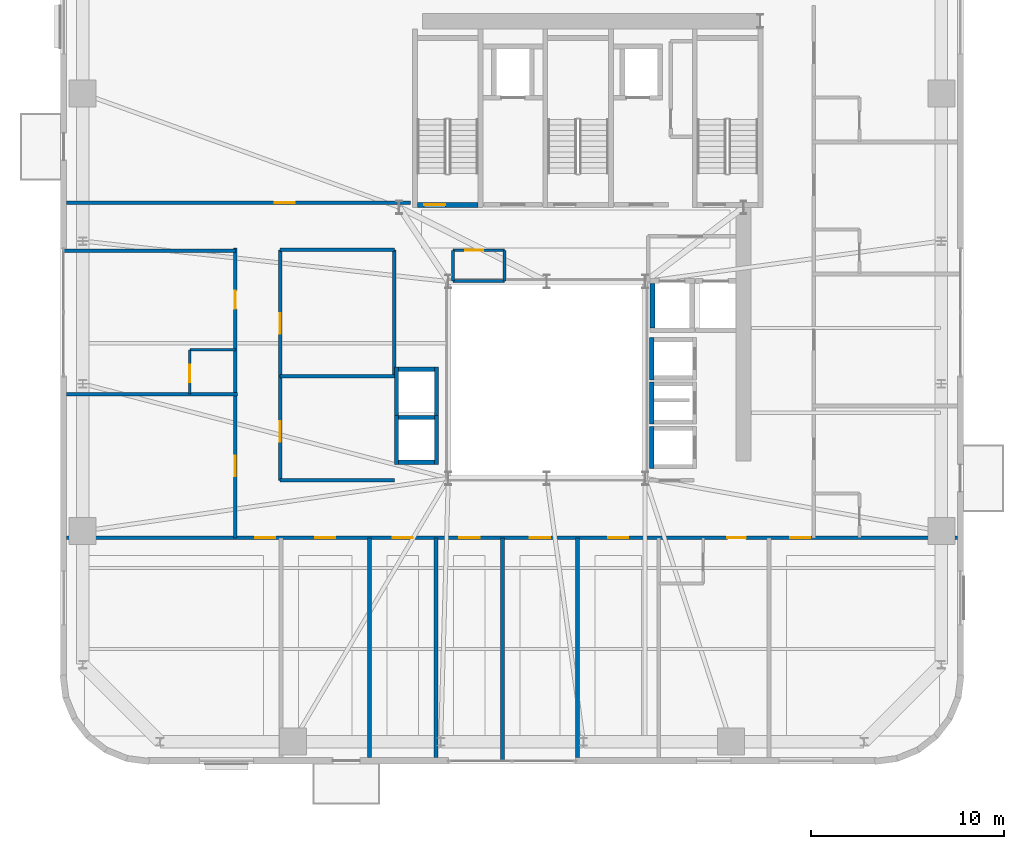
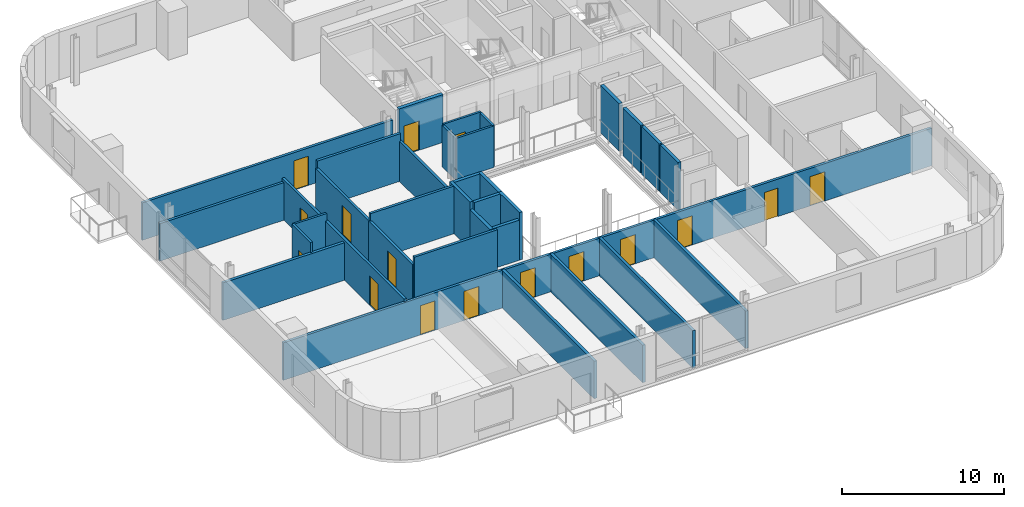
# One storey, part 8 of 16: 33 walls, 16 doors, 16 openings.
"""IFC4 building model written with IfcOpenShell, lengths in metres."""

from ifc_helpers import new_model, si_unit, direction, frame, frame_2d, origin, place, context, subcontext, project, spatial, rectangle, extrude, source, transform, mapped, material, layer, layer_set, type_object, element, fill, save


model = new_model("IFC4")

# Units and contexts
model_context = context("Model", 3, precision=1e-05, world=origin(), true_north=direction((0.0, 1.0)))
body_context = subcontext(model_context, "Body", "Model", "MODEL_VIEW")
ifc_project = project(units=[si_unit("LENGTHUNIT", "METRE"), si_unit("AREAUNIT", "SQUARE_METRE"), si_unit("VOLUMEUNIT", "CUBIC_METRE"), si_unit("PLANEANGLEUNIT", "RADIAN"), si_unit("MASSUNIT", "GRAM", prefix="KILO")], contexts=[model_context])

# Site, building, storey
site_placement = place(None, origin())
site = spatial("IfcSite", under=ifc_project, at=site_placement, CompositionType="ELEMENT")
building_placement = place(site_placement, origin())
building = spatial("IfcBuilding", under=site, at=building_placement, Name="Vardaveli Station Tower", CompositionType="ELEMENT")
storey_placement = place(building_placement, frame((0.0, 0.0, 181.0)))
storey = spatial("IfcBuildingStorey", under=building, at=storey_placement, Name="L46", CompositionType="ELEMENT", Elevation=181.0)

# Wall, opening, door
ifc_material_1 = material(Name="Concrete C40/50", Category="concrete")
ifc_layer_1 = layer(ifc_material_1, 0.25, Name="Concrete C40/50")
ifc_layer_set_1 = layer_set([ifc_layer_1], Name="Concrete C40/50")
wall_type_1 = type_object("IfcWallType", Name="WAL-SHAFT-250", PredefinedType="SOLIDWALL", material=ifc_layer_set_1)
shared_shape_1 = source(origin(), body_context, "Body", "SweptSolid", [
    extrude(rectangle(XDim=3.14990234375, YDim=0.25, at=frame_2d((1.574951171875, 0.0))), origin(), (0.0, 0.0, 1.0), 3.60009765625),
])
wall_1_placement = place(storey_placement, frame((29.60009765625, 30.77490234375, 0.0), z_axis=(0.0, 0.0, 1.0), x_axis=(1.0, 0.0, 0.0)))
wall_1 = element("IfcWall", 1, at=wall_1_placement, inside=storey, type_object=wall_type_1, Name="W-L46-ST-1S", PredefinedType="SOLIDWALL", context=body_context, shape_type="MappedRepresentation", body=[
    mapped(shared_shape_1, transform((0.0, 0.0, 0.0), scale=1.0)),
])
shared_shape_2 = source(origin(), body_context, "Body", "SweptSolid", [
    extrude(rectangle(XDim=1.10009765625, YDim=2.199951171875, at=frame_2d((0.550048828125, 1.10009765625))), frame((0.0, 0.135009765625, 0.0), z_axis=(0.0, -1.0, 0.0), x_axis=(1.0, 0.0, 0.0)), (0.0, 0.0, 1.0), 0.27001953125),
])
opening_1_placement = place(wall_1_placement, frame((0.35009765625, 0.0, 0.0)))
opening_1 = element("IfcOpeningElement", 2, at=opening_1_placement, cuts=wall_1, Name="Opening D-04", PredefinedType="OPENING", context=body_context, shape_type="MappedRepresentation", body=[
    mapped(shared_shape_2, transform((0.0, 0.0, 0.0), scale=1.0)),
])
ifc_material_2 = material(Name="Steel smokeproof fire doorset", Category="steel")
door_type_1 = type_object("IfcDoorType", Name="DR-ST-1100x2200", OperationType="NOTDEFINED", PredefinedType="DOOR", material=ifc_material_2)
shared_shape_3 = source(origin(), body_context, "Body", "SweptSolid", [
    extrude(rectangle(XDim=1.10009765625, YDim=2.199951171875, at=frame_2d((0.550048828125, 1.10009765625))), frame((0.0, 0.02490234375, 0.0), z_axis=(0.0, -1.0, 0.0), x_axis=(1.0, 0.0, 0.0)), (0.0, 0.0, 1.0), 0.050048828125),
])
door_1_placement = place(opening_1_placement, origin())
door_1 = element("IfcDoor", 3, at=door_1_placement, inside=storey, type_object=door_type_1, Name="DST-1-L46", OperationType="SINGLE_SWING_LEFT", OverallHeight=2.199951171875, OverallWidth=1.10009765625, PredefinedType="DOOR", context=body_context, shape_type="MappedRepresentation", body=[
    mapped(shared_shape_3, transform((0.0, 0.0, 0.0), scale=1.0)),
])
fill(opening_1, door_1)

# Walls
ifc_layer_2 = layer(ifc_material_1, 0.219970703125, Name="Concrete C40/50")
ifc_layer_set_2 = layer_set([ifc_layer_2], Name="Concrete C40/50")
wall_type_2 = type_object("IfcWallType", Name="WAL-FFLOBBY-220", PredefinedType="SOLIDWALL", material=ifc_layer_set_2)
shared_shape_4 = source(origin(), body_context, "Body", "SweptSolid", [
    extrude(rectangle(XDim=2.18994140625, YDim=0.219970703125, at=frame_2d((1.094970703125, 0.0))), origin(), (0.0, 0.0, 1.0), 3.580078125),
])
for number, where, z_axis, x_axis, name in (
    (4, (41.739990234375, 21.705078125, 0.0), (0.0, 0.0, 1.0), (0.0, 1.0, 0.0), "SHW-HL3-01-L46-W"),
    (5, (41.739990234375, 19.405029296875, 0.0), (0.0, 0.0, 1.0), (0.0, 1.0, 0.0), "SHW-HL3-02-L46-W"),
    (6, (41.739990234375, 17.10498046875, 0.0), (0.0, 0.0, 1.0), (0.0, 1.0, 0.0), "SHW-HL3-03-L46-W"),
):
    element("IfcWall", number, at=place(storey_placement, frame(where, z_axis=z_axis, x_axis=x_axis)), inside=storey, type_object=wall_type_2, Name=name, PredefinedType="SOLIDWALL", context=body_context, shape_type="MappedRepresentation", body=[
        mapped(shared_shape_4, transform((0.0, 0.0, 0.0), scale=1.0)),
    ])
shared_shape_5 = source(origin(), body_context, "Body", "SweptSolid", [
    extrude(rectangle(XDim=1.85009765625, YDim=0.219970703125, at=frame_2d((0.925048828125, 0.0))), origin(), (0.0, 0.0, 1.0), 3.02197265625),
])
wall_2_placement = place(storey_placement, frame((28.625, 17.43994140625, 0.0), z_axis=(0.0, 0.0, 1.0), x_axis=(1.0, 0.0, 0.0)))
element("IfcWall", 7, at=wall_2_placement, inside=storey, type_object=wall_type_2, Name="SHW-OBS-01-L46-S", PredefinedType="SOLIDWALL", context=body_context, shape_type="MappedRepresentation", body=[
    mapped(shared_shape_5, transform((0.0, 0.0, 0.0), scale=1.0)),
])
shared_shape_6 = source(origin(), body_context, "Body", "SweptSolid", [
    extrude(rectangle(XDim=1.85009765625, YDim=0.219970703125, at=frame_2d((0.925048828125, 0.0))), origin(), (0.0, 0.0, 1.0), 3.580078125),
])
for number, where, z_axis, x_axis, name in (
    (8, (28.625, 19.760009765625, 0.0), (0.0, 0.0, 1.0), (1.0, 0.0, 0.0), "SHW-OBS-01-L46-N"),
    (9, (28.625, 22.260009765625, 0.0), (0.0, 0.0, 1.0), (1.0, 0.0, 0.0), "SHW-OBS-02-L46-N"),
):
    element("IfcWall", number, at=place(storey_placement, frame(where, z_axis=z_axis, x_axis=x_axis)), inside=storey, type_object=wall_type_2, Name=name, PredefinedType="SOLIDWALL", context=body_context, shape_type="MappedRepresentation", body=[
        mapped(shared_shape_6, transform((0.0, 0.0, 0.0), scale=1.0)),
    ])
shared_shape_7 = source(origin(), body_context, "Body", "SweptSolid", [
    extrude(rectangle(XDim=2.5400390625, YDim=0.219970703125, at=frame_2d((1.27001953125, 0.0))), origin(), (0.0, 0.0, 1.0), 3.02197265625),
])
wall_3_placement = place(storey_placement, frame((28.514892578125, 17.330078125, 0.0), z_axis=(0.0, 0.0, 1.0), x_axis=(0.0, 1.0, 0.0)))
element("IfcWall", 10, at=wall_3_placement, inside=storey, type_object=wall_type_2, Name="SHW-OBS-01-L46-W", PredefinedType="SOLIDWALL", context=body_context, shape_type="MappedRepresentation", body=[
    mapped(shared_shape_7, transform((0.0, 0.0, 0.0), scale=1.0)),
])
shared_shape_8 = source(origin(), body_context, "Body", "SweptSolid", [
    extrude(rectangle(XDim=2.5400390625, YDim=0.219970703125, at=frame_2d((1.27001953125, 0.0))), origin(), (0.0, 0.0, 1.0), 3.580078125),
])
for number, where, z_axis, x_axis, name in (
    (11, (30.5849609375, 17.330078125, 0.0), (0.0, 0.0, 1.0), (0.0, 1.0, 0.0), "SHW-OBS-01-L46-E"),
    (12, (28.514892578125, 19.830078125, 0.0), (0.0, 0.0, 1.0), (0.0, 1.0, 0.0), "SHW-OBS-02-L46-W"),
    (13, (30.5849609375, 19.830078125, 0.0), (0.0, 0.0, 1.0), (0.0, 1.0, 0.0), "SHW-OBS-02-L46-E"),
):
    element("IfcWall", number, at=place(storey_placement, frame(where, z_axis=z_axis, x_axis=x_axis)), inside=storey, type_object=wall_type_2, Name=name, PredefinedType="SOLIDWALL", context=body_context, shape_type="MappedRepresentation", body=[
        mapped(shared_shape_8, transform((0.0, 0.0, 0.0), scale=1.0)),
    ])
shared_shape_9 = source(origin(), body_context, "Body", "SweptSolid", [
    extrude(rectangle(XDim=2.300048828125, YDim=0.25, at=frame_2d((1.14990234375, 0.0))), origin(), (0.0, 0.0, 1.0), 3.580078125),
])
wall_4_placement = place(storey_placement, frame((41.77490234375, 24.39990234375, 0.0), z_axis=(0.0, 0.0, 1.0), x_axis=(0.0, 1.0, 0.0)))
element("IfcWall", 14, at=wall_4_placement, inside=storey, type_object=wall_type_1, Name="SHW-SRV-01-L46-W", PredefinedType="SOLIDWALL", context=body_context, shape_type="MappedRepresentation", body=[
    mapped(shared_shape_9, transform((0.0, 0.0, 0.0), scale=1.0)),
])

# Wall, openings, doors
ifc_material_3 = material(Name="Fire-rated gypsum stud partition")
ifc_layer_3 = layer(ifc_material_3, 0.179931640625, Name="Fire-rated gypsum stud partition")
ifc_layer_set_3 = layer_set([ifc_layer_3], Name="Fire-rated gypsum stud partition")
wall_type_3 = type_object("IfcWallType", Name="WAL-CORR-180", PredefinedType="PARTITIONING", material=ifc_layer_set_3)
shared_shape_10 = source(origin(), body_context, "Body", "SweptSolid", [
    extrude(rectangle(XDim=46.15576171875, YDim=0.179931640625, at=frame_2d((23.077880859375, 0.0))), origin(), (0.0, 0.0, 1.0), 2.822021484375),
])
wall_5_placement = place(storey_placement, frame((11.422119140625, 13.510009765625, 0.0), z_axis=(0.0, 0.0, 1.0), x_axis=(1.0, 0.0, 0.0)))
wall_5 = element("IfcWall", 15, at=wall_5_placement, inside=storey, type_object=wall_type_3, Name="W-L46-CS", PredefinedType="PARTITIONING", context=body_context, shape_type="MappedRepresentation", body=[
    mapped(shared_shape_10, transform((0.0, 0.0, 0.0), scale=1.0)),
])
shared_shape_11 = source(origin(), body_context, "Body", "SweptSolid", [
    extrude(rectangle(XDim=1.050048828125, YDim=2.199951171875, at=frame_2d((0.52490234375, 1.10009765625))), frame((0.0, 0.10009765625, 0.0), z_axis=(0.0, -1.0, 0.0), x_axis=(1.0, 0.0, 0.0)), (0.0, 0.0, 1.0), 0.199951171875),
])
opening_2_placement = place(wall_5_placement, frame((9.758056640625, 0.0, 0.0)))
opening_2 = element("IfcOpeningElement", 16, at=opening_2_placement, cuts=wall_5, Name="Opening D-05", PredefinedType="OPENING", context=body_context, shape_type="MappedRepresentation", body=[
    mapped(shared_shape_11, transform((0.0, 0.0, 0.0), scale=1.0)),
])
opening_3_placement = place(wall_5_placement, frame((12.878173828125, 0.0, 0.0)))
opening_3 = element("IfcOpeningElement", 17, at=opening_3_placement, cuts=wall_5, Name="Opening D-05", PredefinedType="OPENING", context=body_context, shape_type="MappedRepresentation", body=[
    mapped(shared_shape_11, transform((0.0, 0.0, 0.0), scale=1.0)),
])
opening_4_placement = place(wall_5_placement, frame((16.893310546875, 0.0, 0.0)))
opening_4 = element("IfcOpeningElement", 18, at=opening_4_placement, cuts=wall_5, Name="Opening D-05", PredefinedType="OPENING", context=body_context, shape_type="MappedRepresentation", body=[
    mapped(shared_shape_11, transform((0.0, 0.0, 0.0), scale=1.0)),
])
opening_5_placement = place(wall_5_placement, frame((20.343505859375, 0.0, 0.0)))
opening_5 = element("IfcOpeningElement", 19, at=opening_5_placement, cuts=wall_5, Name="Opening D-05", PredefinedType="OPENING", context=body_context, shape_type="MappedRepresentation", body=[
    mapped(shared_shape_11, transform((0.0, 0.0, 0.0), scale=1.0)),
])
opening_6_placement = place(wall_5_placement, frame((24.00830078125, 0.0, 0.0)))
opening_6 = element("IfcOpeningElement", 20, at=opening_6_placement, cuts=wall_5, Name="Opening D-05", PredefinedType="OPENING", context=body_context, shape_type="MappedRepresentation", body=[
    mapped(shared_shape_11, transform((0.0, 0.0, 0.0), scale=1.0)),
])
opening_7_placement = place(wall_5_placement, frame((28.055419921875, 0.0, 0.0)))
opening_7 = element("IfcOpeningElement", 21, at=opening_7_placement, cuts=wall_5, Name="Opening D-05", PredefinedType="OPENING", context=body_context, shape_type="MappedRepresentation", body=[
    mapped(shared_shape_11, transform((0.0, 0.0, 0.0), scale=1.0)),
])
shared_shape_12 = source(origin(), body_context, "Body", "SweptSolid", [
    extrude(rectangle(XDim=0.949951171875, YDim=2.14990234375, at=frame_2d((0.47509765625, 1.074951171875))), frame((0.0, 0.10009765625, 0.0), z_axis=(0.0, -1.0, 0.0), x_axis=(1.0, 0.0, 0.0)), (0.0, 0.0, 1.0), 0.199951171875),
])
opening_8_placement = place(wall_5_placement, frame((34.24560546875, 0.0, 0.0)))
opening_8 = element("IfcOpeningElement", 22, at=opening_8_placement, cuts=wall_5, Name="Opening D-06", PredefinedType="OPENING", context=body_context, shape_type="MappedRepresentation", body=[
    mapped(shared_shape_12, transform((0.0, 0.0, 0.0), scale=1.0)),
])
opening_9_placement = place(wall_5_placement, frame((37.498046875, 0.0, 0.0)))
opening_9 = element("IfcOpeningElement", 23, at=opening_9_placement, cuts=wall_5, Name="Opening D-05", PredefinedType="OPENING", context=body_context, shape_type="MappedRepresentation", body=[
    mapped(shared_shape_11, transform((0.0, 0.0, 0.0), scale=1.0)),
])
ifc_material_4 = material(Name="Walnut veneer acoustic fire door")
door_type_2 = type_object("IfcDoorType", Name="DR-SUITE-1050x2200", OperationType="NOTDEFINED", PredefinedType="DOOR", material=ifc_material_4)
shared_shape_13 = source(origin(), body_context, "Body", "SweptSolid", [
    extrude(rectangle(XDim=1.050048828125, YDim=2.199951171875, at=frame_2d((0.52490234375, 1.10009765625))), frame((0.0, 0.02490234375, 0.0), z_axis=(0.0, -1.0, 0.0), x_axis=(1.0, 0.0, 0.0)), (0.0, 0.0, 1.0), 0.050048828125),
])
door_2_placement = place(opening_2_placement, origin())
door_2 = element("IfcDoor", 24, at=door_2_placement, inside=storey, type_object=door_type_2, Name="D-L46-SA1", OperationType="SINGLE_SWING_LEFT", OverallHeight=2.199951171875, OverallWidth=1.050048828125, PredefinedType="DOOR", context=body_context, shape_type="MappedRepresentation", body=[
    mapped(shared_shape_13, transform((0.0, 0.0, 0.0), scale=1.0)),
])
fill(opening_2, door_2)
door_3_placement = place(opening_3_placement, origin())
door_3 = element("IfcDoor", 25, at=door_3_placement, inside=storey, type_object=door_type_2, Name="D-L46-SA2", OperationType="SINGLE_SWING_RIGHT", OverallHeight=2.199951171875, OverallWidth=1.050048828125, PredefinedType="DOOR", context=body_context, shape_type="MappedRepresentation", body=[
    mapped(shared_shape_13, transform((0.0, 0.0, 0.0), scale=1.0)),
])
fill(opening_3, door_3)
door_4_placement = place(opening_4_placement, origin())
door_4 = element("IfcDoor", 26, at=door_4_placement, inside=storey, type_object=door_type_2, Name="D-L46-SA3", OperationType="SINGLE_SWING_LEFT", OverallHeight=2.199951171875, OverallWidth=1.050048828125, PredefinedType="DOOR", context=body_context, shape_type="MappedRepresentation", body=[
    mapped(shared_shape_13, transform((0.0, 0.0, 0.0), scale=1.0)),
])
fill(opening_4, door_4)
door_5_placement = place(opening_5_placement, origin())
door_5 = element("IfcDoor", 27, at=door_5_placement, inside=storey, type_object=door_type_2, Name="D-L46-SA4", OperationType="SINGLE_SWING_RIGHT", OverallHeight=2.199951171875, OverallWidth=1.050048828125, PredefinedType="DOOR", context=body_context, shape_type="MappedRepresentation", body=[
    mapped(shared_shape_13, transform((0.0, 0.0, 0.0), scale=1.0)),
])
fill(opening_5, door_5)
door_6_placement = place(opening_6_placement, origin())
door_6 = element("IfcDoor", 28, at=door_6_placement, inside=storey, type_object=door_type_2, Name="D-L46-SA5", OperationType="SINGLE_SWING_LEFT", OverallHeight=2.199951171875, OverallWidth=1.050048828125, PredefinedType="DOOR", context=body_context, shape_type="MappedRepresentation", body=[
    mapped(shared_shape_13, transform((0.0, 0.0, 0.0), scale=1.0)),
])
fill(opening_6, door_6)
door_7_placement = place(opening_7_placement, origin())
door_7 = element("IfcDoor", 29, at=door_7_placement, inside=storey, type_object=door_type_2, Name="D-L46-SA6", OperationType="SINGLE_SWING_RIGHT", OverallHeight=2.199951171875, OverallWidth=1.050048828125, PredefinedType="DOOR", context=body_context, shape_type="MappedRepresentation", body=[
    mapped(shared_shape_13, transform((0.0, 0.0, 0.0), scale=1.0)),
])
fill(opening_7, door_7)
door_8_placement = place(opening_9_placement, origin())
door_8 = element("IfcDoor", 30, at=door_8_placement, inside=storey, type_object=door_type_2, Name="D-L46-SA8", OperationType="SINGLE_SWING_RIGHT", OverallHeight=2.199951171875, OverallWidth=1.050048828125, PredefinedType="DOOR", context=body_context, shape_type="MappedRepresentation", body=[
    mapped(shared_shape_13, transform((0.0, 0.0, 0.0), scale=1.0)),
])
fill(opening_9, door_8)
ifc_material_5 = material(Name="Oak veneer acoustic fire door")
door_type_3 = type_object("IfcDoorType", Name="DR-GUEST-950x2150", OperationType="NOTDEFINED", PredefinedType="DOOR", material=ifc_material_5)
shared_shape_14 = source(origin(), body_context, "Body", "SweptSolid", [
    extrude(rectangle(XDim=0.949951171875, YDim=2.14990234375, at=frame_2d((0.47509765625, 1.074951171875))), frame((0.0, 0.02490234375, 0.0), z_axis=(0.0, -1.0, 0.0), x_axis=(1.0, 0.0, 0.0)), (0.0, 0.0, 1.0), 0.050048828125),
])
door_9_placement = place(opening_8_placement, origin())
door_9 = element("IfcDoor", 31, at=door_9_placement, inside=storey, type_object=door_type_3, Name="D-L46-GS7", OperationType="SINGLE_SWING_LEFT", OverallHeight=2.14990234375, OverallWidth=0.949951171875, PredefinedType="DOOR", context=body_context, shape_type="MappedRepresentation", body=[
    mapped(shared_shape_14, transform((0.0, 0.0, 0.0), scale=1.0)),
])
fill(opening_8, door_9)

# Wall, opening, door
shared_shape_15 = source(origin(), body_context, "Body", "SweptSolid", [
    extrude(rectangle(XDim=17.827880859375, YDim=0.179931640625, at=frame_2d((8.9140625, 0.0))), origin(), (0.0, 0.0, 1.0), 2.822021484375),
])
wall_6_placement = place(storey_placement, frame((11.422119140625, 30.8798828125, 0.0), z_axis=(0.0, 0.0, 1.0), x_axis=(1.0, 0.0, 0.0)))
wall_6 = element("IfcWall", 32, at=wall_6_placement, inside=storey, type_object=wall_type_3, Name="W-L46-CNWS", PredefinedType="PARTITIONING", context=body_context, shape_type="MappedRepresentation", body=[
    mapped(shared_shape_15, transform((0.0, 0.0, 0.0), scale=1.0)),
])
opening_10_placement = place(wall_6_placement, frame((10.778076171875, 0.0, 0.0)))
opening_10 = element("IfcOpeningElement", 33, at=opening_10_placement, cuts=wall_6, Name="Opening D-05", PredefinedType="OPENING", context=body_context, shape_type="MappedRepresentation", body=[
    mapped(shared_shape_11, transform((0.0, 0.0, 0.0), scale=1.0)),
])
door_10_placement = place(opening_10_placement, origin())
door_10 = element("IfcDoor", 34, at=door_10_placement, inside=storey, type_object=door_type_2, Name="D-L46-GNW1", OperationType="SINGLE_SWING_RIGHT", OverallHeight=2.199951171875, OverallWidth=1.050048828125, PredefinedType="DOOR", context=body_context, shape_type="MappedRepresentation", body=[
    mapped(shared_shape_13, transform((0.0, 0.0, 0.0), scale=1.0)),
])
fill(opening_10, door_10)

# Wall, openings, doors
shared_shape_16 = source(origin(), body_context, "Body", "SweptSolid", [
    extrude(rectangle(XDim=15.0400390625, YDim=0.179931640625, at=frame_2d((7.52001953125, 0.0))), origin(), (0.0, 0.0, 1.0), 3.02197265625),
])
wall_7_placement = place(storey_placement, frame((20.159912109375, 13.510009765625, 0.0), z_axis=(0.0, 0.0, 1.0), x_axis=(0.0, 1.0, 0.0)))
wall_7 = element("IfcWall", 35, at=wall_7_placement, inside=storey, type_object=wall_type_3, Name="W-L46-CW", PredefinedType="PARTITIONING", context=body_context, shape_type="MappedRepresentation", body=[
    mapped(shared_shape_16, transform((0.0, 0.0, 0.0), scale=1.0)),
])
opening_11_placement = place(wall_7_placement, frame((3.202392578125, 0.0, 0.0)))
opening_11 = element("IfcOpeningElement", 36, at=opening_11_placement, cuts=wall_7, Name="Opening D-05", PredefinedType="OPENING", context=body_context, shape_type="MappedRepresentation", body=[
    mapped(shared_shape_11, transform((0.0, 0.0, 0.0), scale=1.0)),
])
opening_12_placement = place(wall_7_placement, frame((11.87255859375, 0.0, 0.0)))
opening_12 = element("IfcOpeningElement", 37, at=opening_12_placement, cuts=wall_7, Name="Opening D-06", PredefinedType="OPENING", context=body_context, shape_type="MappedRepresentation", body=[
    mapped(shared_shape_12, transform((0.0, 0.0, 0.0), scale=1.0)),
])
door_11_placement = place(opening_11_placement, origin())
door_11 = element("IfcDoor", 38, at=door_11_placement, inside=storey, type_object=door_type_2, Name="D-L46-GW1", OperationType="SINGLE_SWING_LEFT", OverallHeight=2.199951171875, OverallWidth=1.050048828125, PredefinedType="DOOR", context=body_context, shape_type="MappedRepresentation", body=[
    mapped(shared_shape_13, transform((0.0, 0.0, 0.0), scale=1.0)),
])
fill(opening_11, door_11)
door_12_placement = place(opening_12_placement, origin())
door_12 = element("IfcDoor", 39, at=door_12_placement, inside=storey, type_object=door_type_3, Name="D-L46-GW2", OperationType="SINGLE_SWING_RIGHT", OverallHeight=2.14990234375, OverallWidth=0.949951171875, PredefinedType="DOOR", context=body_context, shape_type="MappedRepresentation", body=[
    mapped(shared_shape_14, transform((0.0, 0.0, 0.0), scale=1.0)),
])
fill(opening_12, door_12)

# Wall, opening, door
ifc_material_6 = material(Name="Moisture-resistant stud partition")
ifc_layer_4 = layer(ifc_material_6, 0.14990234375, Name="Moisture-resistant stud partition")
ifc_layer_set_4 = layer_set([ifc_layer_4], Name="Moisture-resistant stud partition")
wall_type_4 = type_object("IfcWallType", Name="WAL-WET-150", PredefinedType="PARTITIONING", material=ifc_layer_set_4)
shared_shape_17 = source(origin(), body_context, "Body", "SweptSolid", [
    extrude(rectangle(XDim=2.289794921875, YDim=0.14990234375, at=frame_2d((1.14501953125, 0.0))), origin(), (0.0, 0.0, 1.0), 3.580078125),
])
wall_8_placement = place(storey_placement, frame((17.800048828125, 20.97509765625, 0.0), z_axis=(0.0, 0.0, 1.0), x_axis=(0.0, 1.0, 0.0)))
wall_8 = element("IfcWall", 40, at=wall_8_placement, inside=storey, type_object=wall_type_4, Name="W-L46-BW2-W", PredefinedType="PARTITIONING", context=body_context, shape_type="MappedRepresentation", body=[
    mapped(shared_shape_17, transform((0.0, 0.0, 0.0), scale=1.0)),
])
shared_shape_18 = source(origin(), body_context, "Body", "SweptSolid", [
    extrude(rectangle(XDim=0.89990234375, YDim=2.10009765625, at=frame_2d((0.449951171875, 1.050048828125))), frame((0.0, 0.0849609375, 0.0), z_axis=(0.0, -1.0, 0.0), x_axis=(1.0, 0.0, 0.0)), (0.0, 0.0, 1.0), 0.169921875),
])
opening_13_placement = place(wall_8_placement, frame((0.60009765625, 0.0, 0.0)))
opening_13 = element("IfcOpeningElement", 41, at=opening_13_placement, cuts=wall_8, Name="Opening D-08", PredefinedType="OPENING", context=body_context, shape_type="MappedRepresentation", body=[
    mapped(shared_shape_18, transform((0.0, 0.0, 0.0), scale=1.0)),
])
ifc_material_7 = material(Name="Moisture-resistant oak door")
door_type_4 = type_object("IfcDoorType", Name="DR-BATH-900x2100", OperationType="NOTDEFINED", PredefinedType="DOOR", material=ifc_material_7)
shared_shape_19 = source(origin(), body_context, "Body", "SweptSolid", [
    extrude(rectangle(XDim=0.89990234375, YDim=2.10009765625, at=frame_2d((0.449951171875, 1.050048828125))), frame((0.0, 0.02490234375, 0.0), z_axis=(0.0, -1.0, 0.0), x_axis=(1.0, 0.0, 0.0)), (0.0, 0.0, 1.0), 0.050048828125),
])
door_13_placement = place(opening_13_placement, origin())
door_13 = element("IfcDoor", 42, at=door_13_placement, inside=storey, type_object=door_type_4, Name="D-L46-BW2", OperationType="SINGLE_SWING_RIGHT", OverallHeight=2.10009765625, OverallWidth=0.89990234375, PredefinedType="DOOR", context=body_context, shape_type="MappedRepresentation", body=[
    mapped(shared_shape_19, transform((0.0, 0.0, 0.0), scale=1.0)),
])
fill(opening_13, door_13)

# Walls
ifc_material_8 = material(Name="Acoustic twin-stud gypsum partition")
ifc_layer_5 = layer(ifc_material_8, 0.199951171875, Name="Acoustic twin-stud gypsum partition")
ifc_layer_set_5 = layer_set([ifc_layer_5], Name="Acoustic twin-stud gypsum partition")
wall_type_5 = type_object("IfcWallType", Name="WAL-PARTY-200", PredefinedType="PARTITIONING", material=ifc_layer_set_5)
shared_shape_20 = source(origin(), body_context, "Body", "SweptSolid", [
    extrude(rectangle(XDim=11.387939453125, YDim=0.199951171875, at=frame_2d((5.69384765625, 0.0))), origin(), (0.0, 0.0, 1.0), 2.822021484375),
])
for number, where, z_axis, x_axis, name in (
    (43, (27.110107421875, 2.1220703125, 0.0), (0.0, 0.0, 1.0), (0.0, 1.0, 0.0), "W-L46-PS2"),
    (44, (30.56005859375, 2.1220703125, 0.0), (0.0, 0.0, 1.0), (0.0, 1.0, 0.0), "W-L46-PS3"),
    (45, (37.889892578125, 2.1220703125, 0.0), (0.0, 0.0, 1.0), (0.0, 1.0, 0.0), "W-L46-PS5"),
):
    element("IfcWall", number, at=place(storey_placement, frame(where, z_axis=z_axis, x_axis=x_axis)), inside=storey, type_object=wall_type_5, Name=name, PredefinedType="PARTITIONING", context=body_context, shape_type="MappedRepresentation", body=[
        mapped(shared_shape_20, transform((0.0, 0.0, 0.0), scale=1.0)),
    ])
shared_shape_21 = source(origin(), body_context, "Body", "SweptSolid", [
    extrude(rectangle(XDim=11.580078125, YDim=0.199951171875, at=frame_2d((5.7900390625, 0.0))), origin(), (0.0, 0.0, 1.0), 2.822021484375),
])
wall_9_placement = place(storey_placement, frame((34.010009765625, 1.929931640625, 0.0), z_axis=(0.0, 0.0, 1.0), x_axis=(0.0, 1.0, 0.0)))
element("IfcWall", 46, at=wall_9_placement, inside=storey, type_object=wall_type_5, Name="W-L46-PS4", PredefinedType="PARTITIONING", context=body_context, shape_type="MappedRepresentation", body=[
    mapped(shared_shape_21, transform((0.0, 0.0, 0.0), scale=1.0)),
])
shared_shape_22 = source(origin(), body_context, "Body", "SweptSolid", [
    extrude(rectangle(XDim=8.837890625, YDim=0.199951171875, at=frame_2d((4.4189453125, 0.0))), origin(), (0.0, 0.0, 1.0), 2.822021484375),
])
wall_10_placement = place(storey_placement, frame((11.422119140625, 20.955078125, 0.0), z_axis=(0.0, 0.0, 1.0), x_axis=(1.0, 0.0, 0.0)))
element("IfcWall", 47, at=wall_10_placement, inside=storey, type_object=wall_type_5, Name="W-L46-PW1", PredefinedType="PARTITIONING", context=body_context, shape_type="MappedRepresentation", body=[
    mapped(shared_shape_22, transform((0.0, 0.0, 0.0), scale=1.0)),
])
shared_shape_23 = source(origin(), body_context, "Body", "SweptSolid", [
    extrude(rectangle(XDim=8.929931640625, YDim=0.179931640625, at=frame_2d((4.46484375, 0.0))), origin(), (0.0, 0.0, 1.0), 2.822021484375),
])
wall_11_placement = place(storey_placement, frame((11.22998046875, 28.39990234375, 0.0), z_axis=(0.0, 0.0, 1.0), x_axis=(1.0, 0.0, 0.0)))
element("IfcWall", 48, at=wall_11_placement, inside=storey, type_object=wall_type_3, Name="W-L46-CWN", PredefinedType="PARTITIONING", context=body_context, shape_type="MappedRepresentation", body=[
    mapped(shared_shape_23, transform((0.0, 0.0, 0.0), scale=1.0)),
])
shared_shape_24 = source(origin(), body_context, "Body", "SweptSolid", [
    extrude(rectangle(XDim=5.919921875, YDim=0.179931640625, at=frame_2d((2.9599609375, 0.0))), origin(), (0.0, 0.0, 1.0), 3.580078125),
])
for number, where, z_axis, x_axis, name in (
    (49, (22.47998046875, 16.5, 0.0), (0.0, 0.0, 1.0), (1.0, 0.0, 0.0), "W-L46-ATW1-S"),
    (50, (22.47998046875, 21.89990234375, 0.0), (0.0, 0.0, 1.0), (1.0, 0.0, 0.0), "W-L46-ATW1-N"),
    (51, (22.47998046875, 28.43994140625, 0.0), (0.0, 0.0, 1.0), (1.0, 0.0, 0.0), "W-L46-ATW2-N"),
):
    element("IfcWall", number, at=place(storey_placement, frame(where, z_axis=z_axis, x_axis=x_axis)), inside=storey, type_object=wall_type_3, Name=name, PredefinedType="PARTITIONING", context=body_context, shape_type="MappedRepresentation", body=[
        mapped(shared_shape_24, transform((0.0, 0.0, 0.0), scale=1.0)),
    ])
shared_shape_25 = source(origin(), body_context, "Body", "SweptSolid", [
    extrude(rectangle(XDim=2.35986328125, YDim=0.14990234375, at=frame_2d((1.179931640625, 0.0))), origin(), (0.0, 0.0, 1.0), 3.580078125),
])
wall_12_placement = place(storey_placement, frame((17.800048828125, 23.264892578125, 0.0), z_axis=(0.0, 0.0, 1.0), x_axis=(1.0, 0.0, 0.0)))
element("IfcWall", 52, at=wall_12_placement, inside=storey, type_object=wall_type_4, Name="W-L46-BW2-N", PredefinedType="PARTITIONING", context=body_context, shape_type="MappedRepresentation", body=[
    mapped(shared_shape_25, transform((0.0, 0.0, 0.0), scale=1.0)),
])

# Wall, opening, door
shared_shape_26 = source(origin(), body_context, "Body", "SweptSolid", [
    extrude(rectangle(XDim=6.5400390625, YDim=0.179931640625, at=frame_2d((3.27001953125, 0.0))), origin(), (0.0, 0.0, 1.0), 3.02197265625),
])
wall_13_placement = place(storey_placement, frame((22.47998046875, 21.89990234375, 0.0), z_axis=(0.0, 0.0, 1.0), x_axis=(0.0, 1.0, 0.0)))
wall_13 = element("IfcWall", 53, at=wall_13_placement, inside=storey, type_object=wall_type_3, Name="W-L46-ATW2-W", PredefinedType="PARTITIONING", context=body_context, shape_type="MappedRepresentation", body=[
    mapped(shared_shape_26, transform((0.0, 0.0, 0.0), scale=1.0)),
])
opening_14_placement = place(wall_13_placement, frame((2.199951171875, 0.0, 0.0)))
opening_14 = element("IfcOpeningElement", 54, at=opening_14_placement, cuts=wall_13, Name="Opening D-05", PredefinedType="OPENING", context=body_context, shape_type="MappedRepresentation", body=[
    mapped(shared_shape_11, transform((0.0, 0.0, 0.0), scale=1.0)),
])
door_14_placement = place(opening_14_placement, origin())
door_14 = element("IfcDoor", 55, at=door_14_placement, inside=storey, type_object=door_type_2, Name="D-L46-ATW2", OperationType="SINGLE_SWING_LEFT", OverallHeight=2.199951171875, OverallWidth=1.050048828125, PredefinedType="DOOR", context=body_context, shape_type="MappedRepresentation", body=[
    mapped(shared_shape_13, transform((0.0, 0.0, 0.0), scale=1.0)),
])
fill(opening_14, door_14)

# Wall
wall_14_placement = place(storey_placement, frame((28.39990234375, 21.89990234375, 0.0), z_axis=(0.0, 0.0, 1.0), x_axis=(0.0, 1.0, 0.0)))
element("IfcWall", 56, at=wall_14_placement, inside=storey, type_object=wall_type_3, Name="W-L46-ATW2-E", PredefinedType="PARTITIONING", context=body_context, shape_type="MappedRepresentation", body=[
    mapped(shared_shape_26, transform((0.0, 0.0, 0.0), scale=1.0)),
])

# Wall, opening, door
shared_shape_27 = source(origin(), body_context, "Body", "SweptSolid", [
    extrude(rectangle(XDim=5.39990234375, YDim=0.179931640625, at=frame_2d((2.699951171875, 0.0))), origin(), (0.0, 0.0, 1.0), 3.02197265625),
])
wall_15_placement = place(storey_placement, frame((22.47998046875, 16.5, 0.0), z_axis=(0.0, 0.0, 1.0), x_axis=(0.0, 1.0, 0.0)))
wall_15 = element("IfcWall", 57, at=wall_15_placement, inside=storey, type_object=wall_type_3, Name="W-L46-ATW1-W", PredefinedType="PARTITIONING", context=body_context, shape_type="MappedRepresentation", body=[
    mapped(shared_shape_27, transform((0.0, 0.0, 0.0), scale=1.0)),
])
opening_15_placement = place(wall_15_placement, frame((2.0, 0.0, 0.0)))
opening_15 = element("IfcOpeningElement", 58, at=opening_15_placement, cuts=wall_15, Name="Opening D-05", PredefinedType="OPENING", context=body_context, shape_type="MappedRepresentation", body=[
    mapped(shared_shape_11, transform((0.0, 0.0, 0.0), scale=1.0)),
])
door_15_placement = place(opening_15_placement, origin())
door_15 = element("IfcDoor", 59, at=door_15_placement, inside=storey, type_object=door_type_2, Name="D-L46-ATW1", OperationType="SINGLE_SWING_RIGHT", OverallHeight=2.199951171875, OverallWidth=1.050048828125, PredefinedType="DOOR", context=body_context, shape_type="MappedRepresentation", body=[
    mapped(shared_shape_13, transform((0.0, 0.0, 0.0), scale=1.0)),
])
fill(opening_15, door_15)

shared_shape_28 = source(origin(), body_context, "Body", "SweptSolid", [
    extrude(rectangle(XDim=2.670166015625, YDim=0.14990234375, at=frame_2d((1.3349609375, 0.0))), origin(), (0.0, 0.0, 1.0), 3.2119140625),
])
wall_16_placement = place(storey_placement, frame((31.449951171875, 28.419921875, 0.0), z_axis=(0.0, 0.0, 1.0), x_axis=(1.0, 0.0, 0.0)))
wall_16 = element("IfcWall", 60, at=wall_16_placement, inside=storey, type_object=wall_type_4, Name="W-L46-WCA1-N", PredefinedType="PARTITIONING", context=body_context, shape_type="MappedRepresentation", body=[
    mapped(shared_shape_28, transform((0.0, 0.0, 0.0), scale=1.0)),
])
shared_shape_29 = source(origin(), body_context, "Body", "SweptSolid", [
    extrude(rectangle(XDim=0.919921875, YDim=2.10009765625, at=frame_2d((0.4599609375, 1.050048828125))), frame((0.0, 0.0849609375, 0.0), z_axis=(0.0, -1.0, 0.0), x_axis=(1.0, 0.0, 0.0)), (0.0, 0.0, 1.0), 0.169921875),
])
opening_16_placement = place(wall_16_placement, frame((0.6298828125, 0.0, 0.0)))
opening_16 = element("IfcOpeningElement", 61, at=opening_16_placement, cuts=wall_16, Name="Opening D-07", PredefinedType="OPENING", context=body_context, shape_type="MappedRepresentation", body=[
    mapped(shared_shape_29, transform((0.0, 0.0, 0.0), scale=1.0)),
])
ifc_material_9 = material(Name="Moisture-resistant hardwood door", Category="wood")
door_type_5 = type_object("IfcDoorType", Name="DR-WC-920x2100", OperationType="NOTDEFINED", PredefinedType="DOOR", material=ifc_material_9)
shared_shape_30 = source(origin(), body_context, "Body", "SweptSolid", [
    extrude(rectangle(XDim=0.919921875, YDim=2.10009765625, at=frame_2d((0.4599609375, 1.050048828125))), frame((0.0, 0.02490234375, 0.0), z_axis=(0.0, -1.0, 0.0), x_axis=(1.0, 0.0, 0.0)), (0.0, 0.0, 1.0), 0.050048828125),
])
door_16_placement = place(opening_16_placement, origin())
door_16 = element("IfcDoor", 62, at=door_16_placement, inside=storey, type_object=door_type_5, Name="D-L46-WCA", OperationType="SINGLE_SWING_LEFT", OverallHeight=2.10009765625, OverallWidth=0.919921875, PredefinedType="DOOR", context=body_context, shape_type="MappedRepresentation", body=[
    mapped(shared_shape_30, transform((0.0, 0.0, 0.0), scale=1.0)),
])
fill(opening_16, door_16)

# Walls
shared_shape_31 = source(origin(), body_context, "Body", "SweptSolid", [
    extrude(rectangle(XDim=2.670166015625, YDim=0.14990234375, at=frame_2d((1.3349609375, 0.0))), origin(), (0.0, 0.0, 1.0), 3.1220703125),
])
wall_17_placement = place(storey_placement, frame((31.449951171875, 26.820068359375, 0.0), z_axis=(0.0, 0.0, 1.0), x_axis=(1.0, 0.0, 0.0)))
element("IfcWall", 63, at=wall_17_placement, inside=storey, type_object=wall_type_4, Name="W-L46-WCA1-S", PredefinedType="PARTITIONING", context=body_context, shape_type="MappedRepresentation", body=[
    mapped(shared_shape_31, transform((0.0, 0.0, 0.0), scale=1.0)),
])
shared_shape_32 = source(origin(), body_context, "Body", "SweptSolid", [
    extrude(rectangle(XDim=1.599853515625, YDim=0.14990234375, at=frame_2d((0.7998046875, 0.0))), origin(), (0.0, 0.0, 1.0), 3.1220703125),
])
for number, where, z_axis, x_axis, name in (
    (64, (31.449951171875, 26.820068359375, 0.0), (0.0, 0.0, 1.0), (0.0, 1.0, 0.0), "W-L46-WCA1-W"),
    (65, (34.1201171875, 26.820068359375, 0.0), (0.0, 0.0, 1.0), (0.0, 1.0, 0.0), "W-L46-WCA1-E"),
):
    element("IfcWall", number, at=place(storey_placement, frame(where, z_axis=z_axis, x_axis=x_axis)), inside=storey, type_object=wall_type_4, Name=name, PredefinedType="PARTITIONING", context=body_context, shape_type="MappedRepresentation", body=[
        mapped(shared_shape_32, transform((0.0, 0.0, 0.0), scale=1.0)),
    ])

save(model, "model.ifc")
